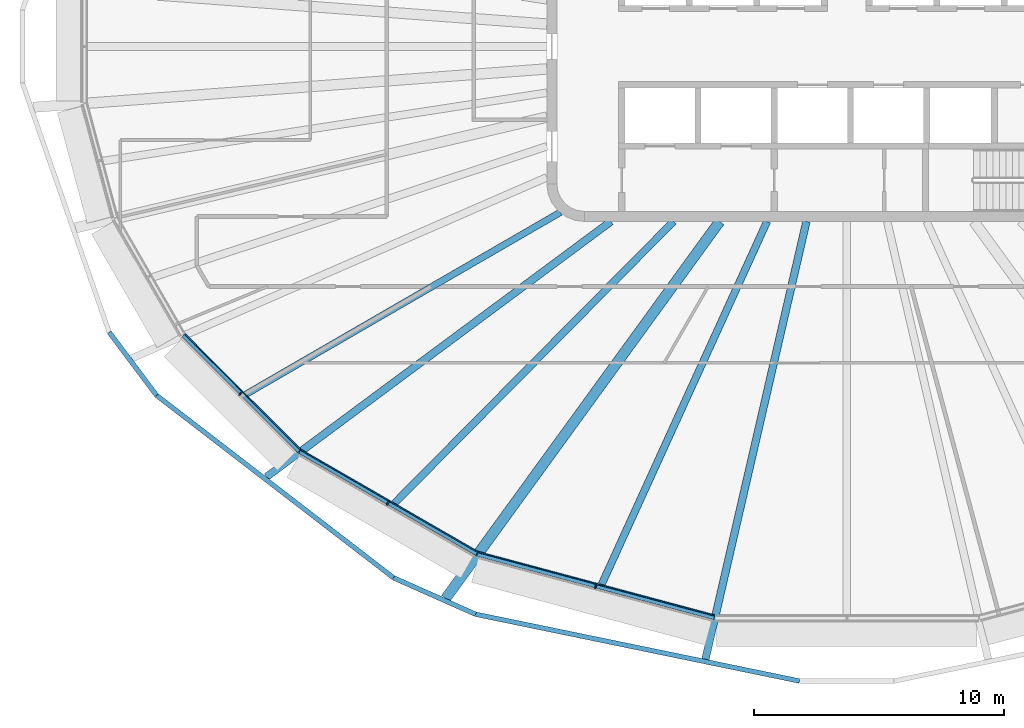
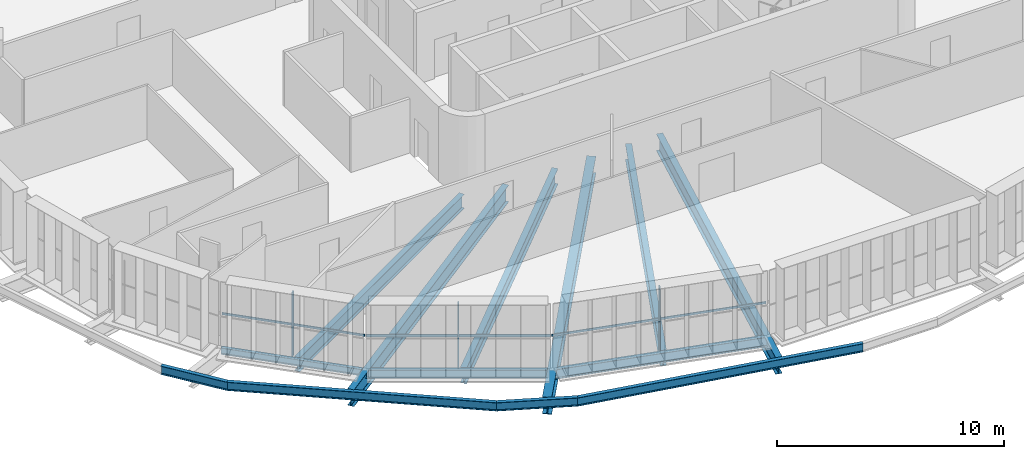
# One storey, part 1 of 20: 13 beams, 6 members, 3 elements without a shape of their own.
"""IFC4 building model written with IfcOpenShell, lengths in metres."""

from ifc_helpers import new_model, si_unit, direction, frame, origin, origin_2d, place, context, subcontext, project, spatial, rectangle, i_section, extrude, material, layer, layer_set, material_profile, profile_set, type_object, element, aggregate, save


model = new_model("IFC4")

# Units and contexts
model_context = context("Model", 3, precision=1e-05, world=origin(), true_north=direction((0.0, 1.0)))
body_context = subcontext(model_context, "Body", "Model", "MODEL_VIEW")
ifc_project = project(units=[si_unit("LENGTHUNIT", "METRE"), si_unit("AREAUNIT", "SQUARE_METRE"), si_unit("VOLUMEUNIT", "CUBIC_METRE"), si_unit("PLANEANGLEUNIT", "RADIAN"), si_unit("MASSUNIT", "GRAM", prefix="KILO")], contexts=[model_context])

# Site, building, storey
site_placement = place(None, origin())
site = spatial("IfcSite", under=ifc_project, at=site_placement, CompositionType="ELEMENT")
building_placement = place(site_placement, origin())
building = spatial("IfcBuilding", under=site, at=building_placement, Name="Sahrelin Media Tower", CompositionType="ELEMENT")
storey_placement = place(building_placement, frame((0.0, 0.0, 213.60009765625)))
storey = spatial("IfcBuildingStorey", under=building, at=storey_placement, Name="L45", CompositionType="ELEMENT", Elevation=213.60009765625)

# Beams
ifc_material_1 = material(Name="Steel S355", Category="steel")
ifc_material_profile_1 = material_profile(ifc_material_1, i_section(OverallWidth=0.17138671875, OverallDepth=0.35498046875, WebThickness=0.00732421875, FlangeThickness=0.011474609375, FilletRadius=0.01025390625, at=origin_2d()), Name="UB 356x171x51")
ifc_profile_set_1 = profile_set([ifc_material_profile_1], Name="Steel S355")
beam_type_1 = type_object("IfcBeamType", Name="Edge beam EB3", PredefinedType="BEAM", material=ifc_profile_set_1)
beam_1_placement = place(storey_placement, frame((-21.901123046875, -16.17333984375, -0.32763671875), z_axis=(-0.70712542778, 0.707088134102, 0.0), x_axis=(-0.707088134102, -0.70712542778, 0.0)))
element("IfcBeam", 1, at=beam_1_placement, inside=storey, type_object=beam_type_1, Name="Edge beam L45-10", PredefinedType="BEAM", context=body_context, shape_type="SweptSolid", body=[
    extrude(i_section(OverallWidth=0.17138671875, OverallDepth=0.35498046875, WebThickness=0.00732421875, FlangeThickness=0.011474609375, FilletRadius=0.01025390625, at=origin_2d()), origin(), (0.0, 0.0, 1.0), 6.54638671875),
])
ifc_material_profile_2 = material_profile(ifc_material_1, i_section(OverallWidth=0.1904296875, OverallDepth=0.45703125, WebThickness=0.009033203125, FlangeThickness=0.014404296875, FilletRadius=0.01025390625, at=origin_2d()), Name="UB 457x191x74")
ifc_profile_set_2 = profile_set([ifc_material_profile_2], Name="Steel S355")
beam_type_2 = type_object("IfcBeamType", Name="Edge beam EB5", PredefinedType="BEAM", material=ifc_profile_set_2)
beam_2_placement = place(storey_placement, frame((-14.79833984375, -20.278564453125, -0.378662109375), z_axis=(-0.866027444383, 0.499996465562, 0.0), x_axis=(-0.499996465562, -0.866027444383, 0.0)))
element("IfcBeam", 2, at=beam_2_placement, inside=storey, type_object=beam_type_2, Name="Edge beam L45-09", PredefinedType="BEAM", context=body_context, shape_type="SweptSolid", body=[
    extrude(i_section(OverallWidth=0.1904296875, OverallDepth=0.45703125, WebThickness=0.009033203125, FlangeThickness=0.014404296875, FilletRadius=0.01025390625, at=origin_2d()), origin(), (0.0, 0.0, 1.0), 8.17529296875),
])
ifc_material_profile_3 = material_profile(ifc_material_1, i_section(OverallWidth=0.208740234375, OverallDepth=0.5283203125, WebThickness=0.009521484375, FlangeThickness=0.01318359375, FilletRadius=0.0126953125, at=origin_2d()), Name="UB 533x210x82")
ifc_profile_set_3 = profile_set([ifc_material_profile_3], Name="Steel S355")
beam_type_3 = type_object("IfcBeamType", Name="Edge beam EB6", PredefinedType="BEAM", material=ifc_profile_set_3)
beam_3_placement = place(storey_placement, frame((-5.296630859375, -22.828369140625, -0.414306640625), z_axis=(-0.965926499263, 0.258816533518, 0.0), x_axis=(-0.258816533518, -0.965926499263, 0.0)))
element("IfcBeam", 3, at=beam_3_placement, inside=storey, type_object=beam_type_3, Name="Edge beam L45-08", PredefinedType="BEAM", context=body_context, shape_type="SweptSolid", body=[
    extrude(i_section(OverallWidth=0.208740234375, OverallDepth=0.5283203125, WebThickness=0.009521484375, FlangeThickness=0.01318359375, FilletRadius=0.0126953125, at=origin_2d()), origin(), (0.0, 0.0, 1.0), 9.809326171875),
])

# Curtain wall, member
ifc_material_2 = material(Name="Champagne anodised aluminium 6063-T6", Category="aluminium")
ifc_layer = layer(ifc_material_2, 0.14990234375)
ifc_layer_set = layer_set([ifc_layer], Name="Tower ribbon curtain wall")
curtain_wall_type = type_object("IfcCurtainWallType", Name="Tower ribbon curtain wall", PredefinedType="NOTDEFINED", material=ifc_layer_set)
curtain_wall_1_placement = place(storey_placement, frame((-24.32177734375, -13.96484375, 0.0), z_axis=(0.0, 0.0, 1.0), x_axis=(1.0, 0.0, 0.0)))
curtain_wall_1 = element("IfcCurtainWall", 4, at=curtain_wall_1_placement, inside=storey, type_object=curtain_wall_type, Name="L45:CW:L45-15", PredefinedType="NOTDEFINED")
ifc_material_profile_4 = material_profile(ifc_material_2, rectangle(XDim=0.06005859375, YDim=0.175048828125, at=origin_2d()), Name="Mullion 60x175")
ifc_profile_set_4 = profile_set([ifc_material_profile_4], Name="Champagne anodised aluminium 6063-T6")
member_type_1 = type_object("IfcMemberType", Name="Mullion 60x175 CW1B", PredefinedType="MULLION", material=ifc_profile_set_4)
member_1_placement = place(storey_placement, frame((-24.245849609375, -13.888916015625, 0.0), z_axis=(0.0, 0.0, 1.0), x_axis=(0.707114185953, -0.707099376343, 0.0)))
member_1 = element("IfcMember", 5, at=member_1_placement, type_object=member_type_1, Name="L45:CWM:L45-15", PredefinedType="MULLION", context=body_context, shape_type="SweptSolid", body=[
    extrude(rectangle(XDim=0.06005859375, YDim=0.175048828125, at=origin_2d()), origin(), (0.0, 0.0, 1.0), 3.448486328125),
])

curtain_wall_2_placement = place(storey_placement, frame((-18.413330078125, -18.364501953125, 0.0), z_axis=(0.0, 0.0, 1.0), x_axis=(1.0, 0.0, 0.0)))
curtain_wall_2 = element("IfcCurtainWall", 6, at=curtain_wall_2_placement, inside=storey, type_object=curtain_wall_type, Name="L45:CW:L45-16", PredefinedType="NOTDEFINED")
member_2_placement = place(storey_placement, frame((-18.359619140625, -18.271484375, 0.0), z_axis=(0.0, 0.0, 1.0), x_axis=(0.866024531118, -0.500001511499, 0.0)))
member_2 = element("IfcMember", 7, at=member_2_placement, type_object=member_type_1, Name="L45:CWM:L45-16", PredefinedType="MULLION", context=body_context, shape_type="SweptSolid", body=[
    extrude(rectangle(XDim=0.06005859375, YDim=0.175048828125, at=origin_2d()), origin(), (0.0, 0.0, 1.0), 3.448486328125),
])

curtain_wall_3_placement = place(storey_placement, frame((-10.072998046875, -21.703857421875, 0.0), z_axis=(0.0, 0.0, 1.0), x_axis=(1.0, 0.0, 0.0)))
curtain_wall_3 = element("IfcCurtainWall", 8, at=curtain_wall_3_placement, inside=storey, type_object=curtain_wall_type, Name="L45:CW:L45-17", PredefinedType="NOTDEFINED")
member_3_placement = place(storey_placement, frame((-10.045166015625, -21.60009765625, 0.0), z_axis=(0.0, 0.0, 1.0), x_axis=(0.965925374563, -0.258820730961, 0.0)))
member_3 = element("IfcMember", 9, at=member_3_placement, type_object=member_type_1, Name="L45:CWM:L45-17", PredefinedType="MULLION", context=body_context, shape_type="SweptSolid", body=[
    extrude(rectangle(XDim=0.06005859375, YDim=0.175048828125, at=origin_2d()), origin(), (0.0, 0.0, 1.0), 3.448486328125),
])

# Beams
ifc_material_profile_5 = material_profile(ifc_material_1, i_section(OverallWidth=0.30322265625, OverallDepth=0.903076171875, WebThickness=0.01513671875, FlangeThickness=0.020263671875, FilletRadius=0.01904296875, at=origin_2d()), Name="UB 914x305x201")
ifc_profile_set_5 = profile_set([ifc_material_profile_5], Name="Steel S355")
beam_type_4 = type_object("IfcBeamType", Name="Radial primary beam PB11", PredefinedType="BEAM", material=ifc_profile_set_5)
beam_4_placement = place(storey_placement, frame((-9.4384765625, -7.0, -0.6015625), z_axis=(-0.803209621637, -0.595696486232, 0.0), x_axis=(0.595696486232, -0.803209621637, 0.0)))
element("IfcBeam", 10, at=beam_4_placement, inside=storey, type_object=beam_type_4, Name="Radial beam L45-16", PredefinedType="BEAM", context=body_context, shape_type="SweptSolid", body=[
    extrude(i_section(OverallWidth=0.30322265625, OverallDepth=0.903076171875, WebThickness=0.01513671875, FlangeThickness=0.020263671875, FilletRadius=0.01904296875, at=origin_2d()), origin(), (0.0, 0.0, 1.0), 17.153564453125),
])
beam_5_placement = place(storey_placement, frame((-1.614990234375, -7.0, -0.6015625), z_axis=(-0.22481485709, -0.974401498373, 0.0), x_axis=(0.974401498373, -0.22481485709, 0.0)))
element("IfcBeam", 11, at=beam_5_placement, inside=storey, type_object=beam_type_4, Name="Radial beam L45-18", PredefinedType="BEAM", context=body_context, shape_type="SweptSolid", body=[
    extrude(i_section(OverallWidth=0.30322265625, OverallDepth=0.903076171875, WebThickness=0.01513671875, FlangeThickness=0.020263671875, FilletRadius=0.01904296875, at=origin_2d()), origin(), (0.0, 0.0, 1.0), 17.970458984375),
])
ifc_material_profile_6 = material_profile(ifc_material_1, i_section(OverallWidth=0.41845703125, OverallDepth=0.911865234375, WebThickness=0.019287109375, FlangeThickness=0.031982421875, FilletRadius=0.024169921875, at=origin_2d()), Name="UB 914x419x343")
ifc_profile_set_6 = profile_set([ifc_material_profile_6], Name="Steel S355")
beam_type_5 = type_object("IfcBeamType", Name="Radial primary beam PB12", PredefinedType="BEAM", material=ifc_profile_set_6)
beam_6_placement = place(storey_placement, frame((-5.0869140625, -7.0, -0.60595703125), z_axis=(-0.587886584188, -0.808943362747, 0.0), x_axis=(0.808943362747, -0.587886584188, 0.0)))
element("IfcBeam", 12, at=beam_6_placement, inside=storey, type_object=beam_type_5, Name="Radial beam L45-17", PredefinedType="BEAM", context=body_context, shape_type="SweptSolid", body=[
    extrude(i_section(OverallWidth=0.41845703125, OverallDepth=0.911865234375, WebThickness=0.019287109375, FlangeThickness=0.031982421875, FilletRadius=0.024169921875, at=origin_2d()), origin(), (0.0, 0.0, 1.0), 18.63720703125),
])
ifc_material_profile_7 = material_profile(ifc_material_1, i_section(OverallWidth=0.291748046875, OverallDepth=0.8349609375, WebThickness=0.013916015625, FlangeThickness=0.018798828125, FilletRadius=0.017822265625, at=origin_2d()), Name="UB 838x292x176")
ifc_profile_set_7 = profile_set([ifc_material_profile_7], Name="Steel S355")
beam_type_6 = type_object("IfcBeamType", Name="Radial secondary beam SB10", PredefinedType="BEAM", material=ifc_profile_set_7)
beam_7_placement = place(storey_placement, frame((-6.932373046875, -7.0, -0.567626953125), z_axis=(-0.703673029626, -0.710523938637, 0.0), x_axis=(0.710523938637, -0.703673029626, 0.0)))
element("IfcBeam", 13, at=beam_7_placement, inside=storey, type_object=beam_type_6, Name="Secondary beam L45-16", PredefinedType="BEAM", context=body_context, shape_type="SweptSolid", body=[
    extrude(i_section(OverallWidth=0.291748046875, OverallDepth=0.8349609375, WebThickness=0.013916015625, FlangeThickness=0.018798828125, FilletRadius=0.017822265625, at=origin_2d()), origin(), (0.0, 0.0, 1.0), 15.858154296875),
])
beam_8_placement = place(storey_placement, frame((-3.18994140625, -7.0, -0.567626953125), z_axis=(-0.414690814889, -0.90996237727, 0.0), x_axis=(0.90996237727, -0.414690814889, 0.0)))
element("IfcBeam", 14, at=beam_8_placement, inside=storey, type_object=beam_type_6, Name="Secondary beam L45-17", PredefinedType="BEAM", context=body_context, shape_type="SweptSolid", body=[
    extrude(i_section(OverallWidth=0.291748046875, OverallDepth=0.8349609375, WebThickness=0.013916015625, FlangeThickness=0.018798828125, FilletRadius=0.017822265625, at=origin_2d()), origin(), (0.0, 0.0, 1.0), 15.94873046875),
])
ifc_material_profile_8 = material_profile(ifc_material_1, i_section(OverallWidth=0.26513671875, OverallDepth=0.75390625, WebThickness=0.0126953125, FlangeThickness=0.017578125, FilletRadius=0.0166015625, at=origin_2d()), Name="UB 762x267x147")
ifc_profile_set_8 = profile_set([ifc_material_profile_8], Name="Steel S355")
beam_type_7 = type_object("IfcBeamType", Name="Radial secondary beam SB9", PredefinedType="BEAM", material=ifc_profile_set_8)
beam_9_placement = place(storey_placement, frame((-11.463623046875, -6.635009765625, -0.527099609375), z_axis=(-0.865485713708, -0.500933607744, 0.0), x_axis=(0.500933607744, -0.865485713708, 0.0)))
element("IfcBeam", 15, at=beam_9_placement, inside=storey, type_object=beam_type_7, Name="Secondary beam L45-15", PredefinedType="BEAM", context=body_context, shape_type="SweptSolid", body=[
    extrude(i_section(OverallWidth=0.26513671875, OverallDepth=0.75390625, WebThickness=0.0126953125, FlangeThickness=0.017578125, FilletRadius=0.0166015625, at=origin_2d()), origin(), (0.0, 0.0, 1.0), 14.530517578125),
])
ifc_material_profile_9 = material_profile(ifc_material_1, i_section(OverallWidth=0.1904296875, OverallDepth=0.45703125, WebThickness=0.009033203125, FlangeThickness=0.014404296875, FilletRadius=0.01025390625, at=origin_2d()), Name="UB 457x191x74")
ifc_profile_set_9 = profile_set([ifc_material_profile_9], Name="Steel S355")
beam_type_8 = type_object("IfcBeamType", Name="Tie chord TC5", PredefinedType="BEAM", material=ifc_profile_set_9)
beam_10_placement = place(storey_placement, frame((-29.507080078125, -11.42919921875, -0.378662109375), z_axis=(0.600074252543, -0.799944305208, 0.0), x_axis=(0.799944305208, 0.600074252543, 0.0)))
element("IfcBeam", 16, at=beam_10_placement, inside=storey, type_object=beam_type_8, Name="Tie chord L45-14", PredefinedType="BEAM", context=body_context, shape_type="SweptSolid", body=[
    extrude(i_section(OverallWidth=0.1904296875, OverallDepth=0.45703125, WebThickness=0.009033203125, FlangeThickness=0.014404296875, FilletRadius=0.01025390625, at=origin_2d()), origin(), (0.0, 0.0, 1.0), 3.15625),
])
beam_11_placement = place(storey_placement, frame((-27.613037109375, -13.9541015625, -0.378662109375), z_axis=(0.792444220913, -0.609944388237, 0.0), x_axis=(0.609944388237, 0.792444220913, 0.0)))
element("IfcBeam", 17, at=beam_11_placement, inside=storey, type_object=beam_type_8, Name="Tie chord L45-15", PredefinedType="BEAM", context=body_context, shape_type="SweptSolid", body=[
    extrude(i_section(OverallWidth=0.1904296875, OverallDepth=0.45703125, WebThickness=0.009033203125, FlangeThickness=0.014404296875, FilletRadius=0.01025390625, at=origin_2d()), origin(), (0.0, 0.0, 1.0), 11.967529296875),
])
beam_12_placement = place(storey_placement, frame((-18.12939453125, -21.253662109375, -0.378662109375), z_axis=(0.913836787305, -0.406081674258, 0.0), x_axis=(0.406081674258, 0.913836787305, 0.0)))
element("IfcBeam", 18, at=beam_12_placement, inside=storey, type_object=beam_type_8, Name="Tie chord L45-16", PredefinedType="BEAM", context=body_context, shape_type="SweptSolid", body=[
    extrude(i_section(OverallWidth=0.1904296875, OverallDepth=0.45703125, WebThickness=0.009033203125, FlangeThickness=0.014404296875, FilletRadius=0.01025390625, at=origin_2d()), origin(), (0.0, 0.0, 1.0), 3.58984375),
])
beam_13_placement = place(storey_placement, frame((-14.848876953125, -22.71142578125, -0.378662109375), z_axis=(0.979386755143, -0.201994019341, 0.0), x_axis=(0.201994019341, 0.979386755143, 0.0)))
element("IfcBeam", 19, at=beam_13_placement, inside=storey, type_object=beam_type_8, Name="Tie chord L45-17", PredefinedType="BEAM", context=body_context, shape_type="SweptSolid", body=[
    extrude(i_section(OverallWidth=0.1904296875, OverallDepth=0.45703125, WebThickness=0.009033203125, FlangeThickness=0.014404296875, FilletRadius=0.01025390625, at=origin_2d()), origin(), (0.0, 0.0, 1.0), 13.2275390625),
])

# Member
ifc_material_profile_10 = material_profile(ifc_material_2, rectangle(XDim=0.050048828125, YDim=0.110107421875, at=origin_2d()), Name="Transom 50x110")
ifc_profile_set_10 = profile_set([ifc_material_profile_10], Name="Champagne anodised aluminium 6063-T6")
member_type_2 = type_object("IfcMemberType", Name="Transom 50x110 CW1B", PredefinedType="USERDEFINED", material=ifc_profile_set_10)
member_4_placement = place(storey_placement, frame((-26.4697265625, -11.506103515625, 1.599853515625), z_axis=(0.707125517703, -0.707088044173, 0.0), x_axis=(0.707088044173, 0.707125517703, 0.0)))
member_4 = element("IfcMember", 20, at=member_4_placement, type_object=member_type_2, Name="L45:CWT:L45-15", ObjectType="TRANSOM", PredefinedType="USERDEFINED", context=body_context, shape_type="SweptSolid", body=[
    extrude(rectangle(XDim=0.050048828125, YDim=0.110107421875, at=origin_2d()), origin(), (0.0, 0.0, 1.0), 6.51513671875),
])

aggregate(curtain_wall_1, [member_1, member_4])

member_5_placement = place(storey_placement, frame((-21.82958984375, -16.13818359375, 1.599853515625), z_axis=(0.866011347513, -0.500024345386, 0.0), x_axis=(0.500024345386, 0.866011347513, 0.0)))
member_5 = element("IfcMember", 21, at=member_5_placement, type_object=member_type_2, Name="L45:CWT:L45-16", ObjectType="TRANSOM", PredefinedType="USERDEFINED", context=body_context, shape_type="SweptSolid", body=[
    extrude(rectangle(XDim=0.050048828125, YDim=0.110107421875, at=origin_2d()), origin(), (0.0, 0.0, 1.0), 8.1435546875),
])

aggregate(curtain_wall_2, [member_2, member_5])

member_6_placement = place(storey_placement, frame((-14.738525390625, -20.22607421875, 1.599853515625), z_axis=(0.965925092581, -0.258821783324, 0.0), x_axis=(0.258821783324, 0.965925092581, 0.0)))
member_6 = element("IfcMember", 22, at=member_6_placement, type_object=member_type_2, Name="L45:CWT:L45-17", ObjectType="TRANSOM", PredefinedType="USERDEFINED", context=body_context, shape_type="SweptSolid", body=[
    extrude(rectangle(XDim=0.050048828125, YDim=0.110107421875, at=origin_2d()), origin(), (0.0, 0.0, 1.0), 9.778076171875),
])

aggregate(curtain_wall_3, [member_3, member_6])

save(model, "model.ifc")
